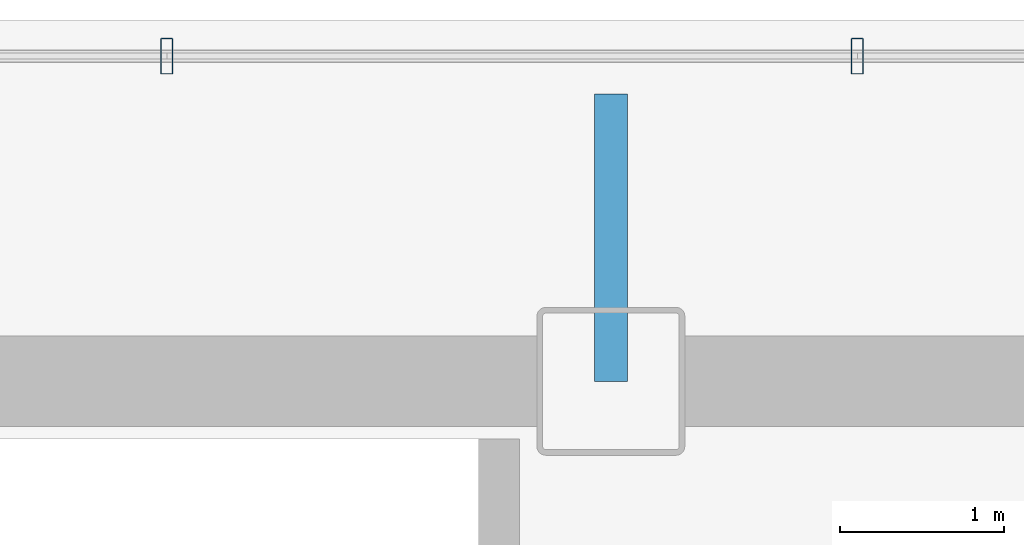
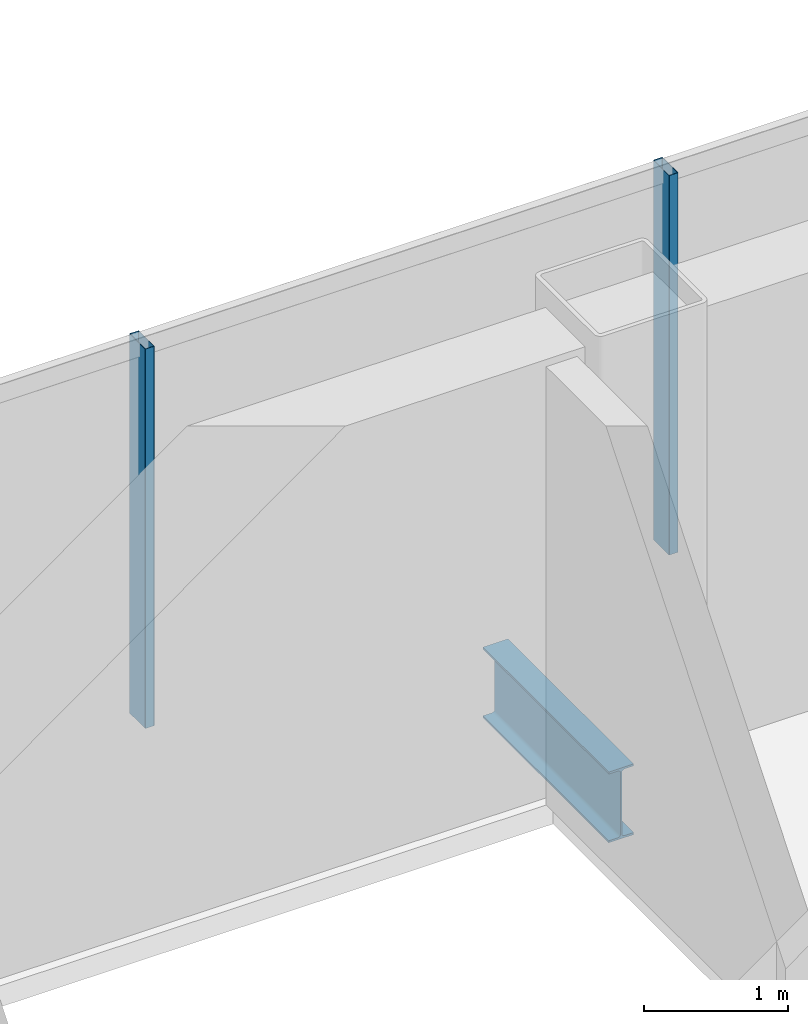
# One storey, part 9 of 20: 2 members, 1 beam, 1 element without a shape of its own.
"""IFC4 building model written with IfcOpenShell, lengths in metres."""

import ifcopenshell
import ifcopenshell.guid

model = None  # the IFC model being written
_history = None  # IfcOwnerHistory: only IFC2X3 demands one
_inside = {}  # id of a spatial element -> (the spatial element, [elements in it])
_under = {}  # id of a project, library or spatial element -> (it, [spatial elements below it])
_declared = {}  # id of a project -> (the project, [libraries it declares])
_typed = {}  # id of a type object -> (the type object, [elements of that type])
_made_of = {}  # id of a material, layer set ... -> (it, [elements and type objects made of it])


def new_model(schema):
    """Start an empty IFC model of exactly this schema.

    Asked for "IFC4X3", IfcOpenShell would pick the latest addendum, in which some entities
    have other attributes; the version numbers below select the first issue.
    IFC2X3 requires an IfcOwnerHistory on every rooted entity: one is made here for all.
    """
    global model, _history
    if schema == "IFC4X3":
        model = ifcopenshell.file(schema_version=(4, 3, 0, 0))
    else:
        model = ifcopenshell.file(schema=schema)
    _inside.clear()
    _under.clear()
    _declared.clear()
    _typed.clear()
    _made_of.clear()
    _history = None
    if model.schema == "IFC2X3":
        org = make("IfcOrganization", Name="unknown")
        user = make(
            "IfcPersonAndOrganization",
            ThePerson=make("IfcPerson", FamilyName="unknown"),
            TheOrganization=org,
        )
        app = make(
            "IfcApplication",
            ApplicationDeveloper=org,
            Version="unknown",
            ApplicationFullName="unknown",
            ApplicationIdentifier="unknown",
        )
        _history = make(
            "IfcOwnerHistory",
            OwningUser=user,
            OwningApplication=app,
            ChangeAction="ADDED",
            CreationDate=0,
        )
    return model


def make(cls, **values):
    """One entity of the class cls with the attributes given. An attribute that is None is left unset."""
    return model.create_entity(
        cls, **{name: value for name, value in values.items() if value is not None}
    )


def rooted(cls, **values):
    """An entity with a GlobalId (a new one), such as an element, a storey or a relation."""
    return make(cls, GlobalId=ifcopenshell.guid.new(), OwnerHistory=_history, **values)


def si_unit(unit_type, name, prefix=None):
    """IfcSIUnit, for example si_unit("LENGTHUNIT", "METRE", prefix="MILLI")."""
    return make("IfcSIUnit", UnitType=unit_type, Prefix=prefix, Name=name)


def assignment(units):
    """IfcUnitAssignment: the units of a project."""
    return None if units is None else make("IfcUnitAssignment", Units=units)


def point(xyz):
    """IfcCartesianPoint."""
    return None if xyz is None else make("IfcCartesianPoint", Coordinates=xyz)


def direction(xyz):
    """IfcDirection."""
    return None if xyz is None else make("IfcDirection", DirectionRatios=xyz)


def frame(location, z_axis=None, x_axis=None):
    """IfcAxis2Placement3D, a coordinate frame: its origin and axes. An axis left out is left unset."""
    return make(
        "IfcAxis2Placement3D",
        Location=point(location),
        Axis=direction(z_axis),
        RefDirection=direction(x_axis),
    )


def frame_2d(location, x_axis=None):
    """IfcAxis2Placement2D, a coordinate frame in the plane: its origin and x axis."""
    return make(
        "IfcAxis2Placement2D", Location=point(location), RefDirection=direction(x_axis)
    )


def origin():
    """The frame at (0, 0, 0) with its axes left unset."""
    return frame((0.0, 0.0, 0.0))


def origin_2d():
    """The frame at (0, 0) in the plane with its x axis left unset."""
    return frame_2d((0.0, 0.0))


def place(relative_to, where):
    """IfcLocalPlacement: puts the frame where relative to a parent placement (None: the world)."""
    return make(
        "IfcLocalPlacement", PlacementRelTo=relative_to, RelativePlacement=where
    )


def context(
    kind, dimensions, precision=None, world=None, true_north=None, identifier=None
):
    """IfcGeometricRepresentationContext, for example the 3D "Model" context."""
    return make(
        "IfcGeometricRepresentationContext",
        ContextIdentifier=identifier,
        ContextType=kind,
        CoordinateSpaceDimension=dimensions,
        Precision=precision,
        WorldCoordinateSystem=world,
        TrueNorth=true_north,
    )


def subcontext(parent, identifier, kind, view, scale=None):
    """IfcGeometricRepresentationSubContext, for example "Body" below "Model"."""
    return make(
        "IfcGeometricRepresentationSubContext",
        ContextIdentifier=identifier,
        ContextType=kind,
        ParentContext=parent,
        TargetScale=scale,
        TargetView=view,
    )


def project(units=None, contexts=None):
    """IfcProject with its units and contexts."""
    return rooted(
        "IfcProject",
        Name="project",
        RepresentationContexts=contexts,
        UnitsInContext=assignment(units),
    )


def spatial(cls, under=None, at=None, **own):
    """A site, building, storey or space (cls), placed at a placement, below another one or the project."""
    s = rooted(cls, ObjectPlacement=at, **own)
    if under is not None:
        _under.setdefault(under.id(), (under, []))[1].append(s)
    return s


def profile(cls, at=None, kind="AREA", **sizes):
    """A parametric profile (cls). Its sizes go by their IFC names, for example OverallWidth=200.0."""
    return make(cls, ProfileType=kind, Position=at, **sizes)


def hollow_rectangle(**sizes):
    """IfcRectangleHollowProfileDef."""
    return profile("IfcRectangleHollowProfileDef", **sizes)


def i_section(**sizes):
    """IfcIShapeProfileDef."""
    return profile("IfcIShapeProfileDef", **sizes)


def extrude(swept, where, along, depth):
    """IfcExtrudedAreaSolid: the profile swept, set in the frame where, extruded along a direction by depth."""
    return make(
        "IfcExtrudedAreaSolid",
        SweptArea=swept,
        Position=where,
        ExtrudedDirection=direction(along),
        Depth=depth,
    )


def shape(context_of_items, identifier, shape_type, items):
    """IfcShapeRepresentation: the items that make up one representation, for example the "Body"."""
    return make(
        "IfcShapeRepresentation",
        ContextOfItems=context_of_items,
        RepresentationIdentifier=identifier,
        RepresentationType=shape_type,
        Items=items,
    )


def material(Name=None, Category=None):
    """IfcMaterial."""
    return make("IfcMaterial", Name=Name, Category=Category)


def material_profile(
    of_material, cross_section, Name=None, Category=None, Priority=None
):
    """IfcMaterialProfile: a cross section and its material."""
    return make(
        "IfcMaterialProfile",
        Name=Name,
        Material=of_material,
        Profile=cross_section,
        Priority=Priority,
        Category=Category,
    )


def profile_set(profiles, Name=None, composite=None):
    """IfcMaterialProfileSet."""
    return make(
        "IfcMaterialProfileSet",
        Name=Name,
        MaterialProfiles=profiles,
        CompositeProfile=composite,
    )


def made_of(thing, what):
    """Note that an element or type object is made of a material, layer set ...; save() writes the relation."""
    if what is not None:
        _made_of.setdefault(what.id(), (what, []))[1].append(thing)
    return thing


def type_object(cls, material=None, **own):
    """A type object (cls), such as IfcWallType, which elements share."""
    return made_of(rooted(cls, **own), material)


def element(
    cls,
    number,
    at=None,
    inside=None,
    cuts=None,
    type_object=None,
    material=None,
    context=None,
    identifier="Body",
    shape_type=None,
    held_by="IfcProductDefinitionShape",
    body=None,
    shapes=None,
    **own,
):
    """One element of the class cls, such as IfcWall. Its Tag is "e" and its number.

    at: its placement. inside: the storey or other place that contains it. cuts: it is an
    opening in that element (IfcRelVoidsElement). A single representation is given by context,
    identifier, shape_type and body (its items); several are given by shapes. held_by: the class
    of the entity that holds the representations. save() writes the other relations.
    """
    e = rooted(cls, Tag="e%d" % number, ObjectPlacement=at, **own)
    if body is not None:
        shapes = [shape(context, identifier, shape_type, body)]
    if shapes is not None:
        e.Representation = make(held_by, Representations=shapes)
    if inside is not None:
        _inside.setdefault(inside.id(), (inside, []))[1].append(e)
    if cuts is not None:
        rooted(
            "IfcRelVoidsElement", RelatingBuildingElement=cuts, RelatedOpeningElement=e
        )
    if type_object is not None:
        _typed.setdefault(type_object.id(), (type_object, []))[1].append(e)
    return made_of(e, material)


def aggregate(whole, parts):
    """IfcRelAggregates: a whole, such as a stair, and the parts it consists of."""
    return rooted("IfcRelAggregates", RelatingObject=whole, RelatedObjects=parts)


def save(model, path):
    """Write the relations noted so far, then the file.

    IfcRelAggregates (storeys below a building ...), IfcRelContainedInSpatialStructure (elements
    in a storey), IfcRelDefinesByType, IfcRelAssociatesMaterial and IfcRelDeclares: one each for
    every whole, place, type object, material and project.
    """
    for whole, parts in _under.values():
        aggregate(whole, parts)
    for where, things in _inside.values():
        rooted(
            "IfcRelContainedInSpatialStructure",
            RelatedElements=things,
            RelatingStructure=where,
        )
    for kind, things in _typed.values():
        rooted("IfcRelDefinesByType", RelatedObjects=things, RelatingType=kind)
    for what, things in _made_of.values():
        rooted("IfcRelAssociatesMaterial", RelatedObjects=things, RelatingMaterial=what)
    for by, libraries in _declared.values():
        rooted("IfcRelDeclares", RelatingContext=by, RelatedDefinitions=libraries)
    model.write(path)


model = new_model("IFC4")

# Units and contexts
model_context = context("Model", 3, precision=1e-05, world=origin(), true_north=direction((0.0, 1.0)))
body_context = subcontext(model_context, "Body", "Model", "MODEL_VIEW")
ifc_project = project(units=[si_unit("LENGTHUNIT", "METRE"), si_unit("AREAUNIT", "SQUARE_METRE"), si_unit("VOLUMEUNIT", "CUBIC_METRE"), si_unit("PLANEANGLEUNIT", "RADIAN"), si_unit("MASSUNIT", "GRAM", prefix="KILO")], contexts=[model_context])

# Site, building, storey
site_placement = place(None, origin())
site = spatial("IfcSite", under=ifc_project, at=site_placement, CompositionType="ELEMENT")
building_placement = place(site_placement, origin())
building = spatial("IfcBuilding", under=site, at=building_placement, Name="Noeulbin Bourse Tower", CompositionType="ELEMENT")
storey_placement = place(building_placement, frame((0.0, 0.0, 126.60009765625)))
storey = spatial("IfcBuildingStorey", under=building, at=storey_placement, Name="L31", CompositionType="ELEMENT", Elevation=126.60009765625)

# Beam
ifc_material_1 = material(Name="Steel S355", Category="steel")
ifc_material_profile_1 = material_profile(ifc_material_1, i_section(OverallWidth=0.199951171875, OverallDepth=0.60009765625, WebThickness=0.010986328125, FlangeThickness=0.01708984375, FilletRadius=0.02197265625, at=origin_2d()), Name="H-600x200x11x17", Category="LoadBearing")
ifc_profile_set_1 = profile_set([ifc_material_profile_1], Name="Steel S355")
beam_type = type_object("IfcBeamType", Name="BM-GRD-600", PredefinedType="USERDEFINED", material=ifc_profile_set_1)
beam_placement = place(storey_placement, frame((24.0, 38.300048828125, -0.47998046875), z_axis=(0.0, 1.0, 0.0), x_axis=(-1.0, 0.0, 0.0)))
element("IfcBeam", 1, at=beam_placement, inside=storey, type_object=beam_type, Name="Tower Primary Girder NS L31-2.4", ObjectType="GIRDER", PredefinedType="USERDEFINED", context=body_context, shape_type="SweptSolid", body=[
    extrude(i_section(OverallWidth=0.199951171875, OverallDepth=0.60009765625, WebThickness=0.010986328125, FlangeThickness=0.01708984375, FilletRadius=0.02197265625, at=origin_2d()), origin(), (0.0, 0.0, 1.0), 1.75),
])

# Curtain wall, members
ifc_material_2 = material(Name="Dark Tinted Triple Glazing", Category="glass")
curtain_wall_type = type_object("IfcCurtainWallType", Name="CW-SYS-3", PredefinedType="NOTDEFINED", material=ifc_material_2)
curtain_wall_placement = place(storey_placement, origin())
curtain_wall = element("IfcCurtainWall", 2, at=curtain_wall_placement, inside=storey, type_object=curtain_wall_type, Name="Unitised Curtain Wall CW-L31-N", PredefinedType="NOTDEFINED")
ifc_material_3 = material(Name="Anodised Aluminium 6063-T6", Category="aluminium")
ifc_material_profile_2 = material_profile(ifc_material_3, hollow_rectangle(XDim=0.074951171875, YDim=0.219970703125, WallThickness=0.0048828125, InnerFilletRadius=0.00244140625, OuterFilletRadius=0.0048828125, at=origin_2d()), Name="ALU-MULL-75x220x5", Category="LoadBearing")
ifc_profile_set_2 = profile_set([ifc_material_profile_2], Name="Anodised Aluminium 6063-T6")
member_type = type_object("IfcMemberType", Name="CW-SYS-3-MUL", PredefinedType="MULLION", material=ifc_profile_set_2)
member_1_placement = place(storey_placement, frame((21.2958984375, 40.280029296875, -0.02001953125), z_axis=(0.0, 0.0, 1.0), x_axis=(1.0, 0.0, 0.0)))
member_1 = element("IfcMember", 3, at=member_1_placement, type_object=member_type, Name="Curtain Wall Mullion CW-L31-N-M04", PredefinedType="MULLION", context=body_context, shape_type="SweptSolid", body=[
    extrude(hollow_rectangle(XDim=0.074951171875, YDim=0.219970703125, WallThickness=0.0048828125, InnerFilletRadius=0.00244140625, OuterFilletRadius=0.0048828125, at=origin_2d()), origin(), (0.0, 0.0, 1.0), 3.219970703125),
])
member_2_placement = place(storey_placement, frame((25.5, 40.280029296875, -0.02001953125), z_axis=(0.0, 0.0, 1.0), x_axis=(1.0, 0.0, 0.0)))
member_2 = element("IfcMember", 4, at=member_2_placement, type_object=member_type, Name="Curtain Wall Mullion CW-L31-N-M05", PredefinedType="MULLION", context=body_context, shape_type="SweptSolid", body=[
    extrude(hollow_rectangle(XDim=0.074951171875, YDim=0.219970703125, WallThickness=0.0048828125, InnerFilletRadius=0.00244140625, OuterFilletRadius=0.0048828125, at=origin_2d()), origin(), (0.0, 0.0, 1.0), 3.219970703125),
])
aggregate(curtain_wall, [member_1, member_2])

save(model, "model.ifc")
